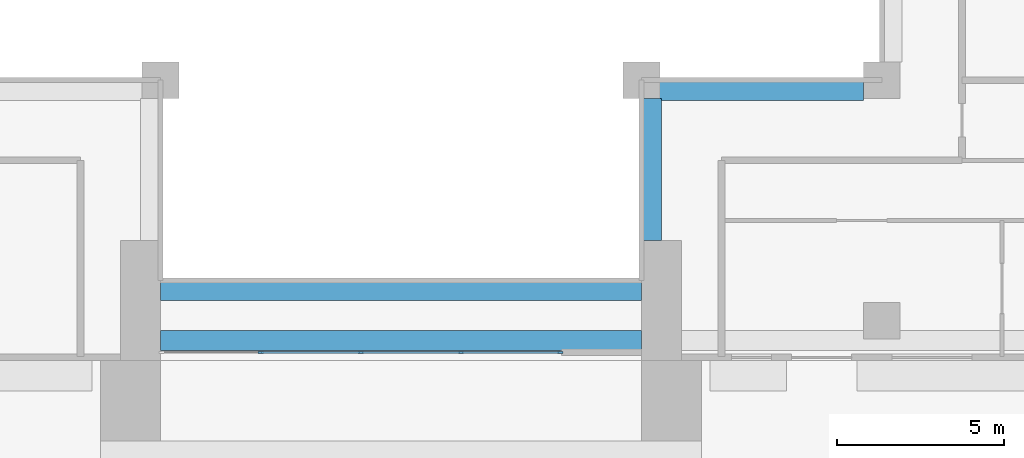
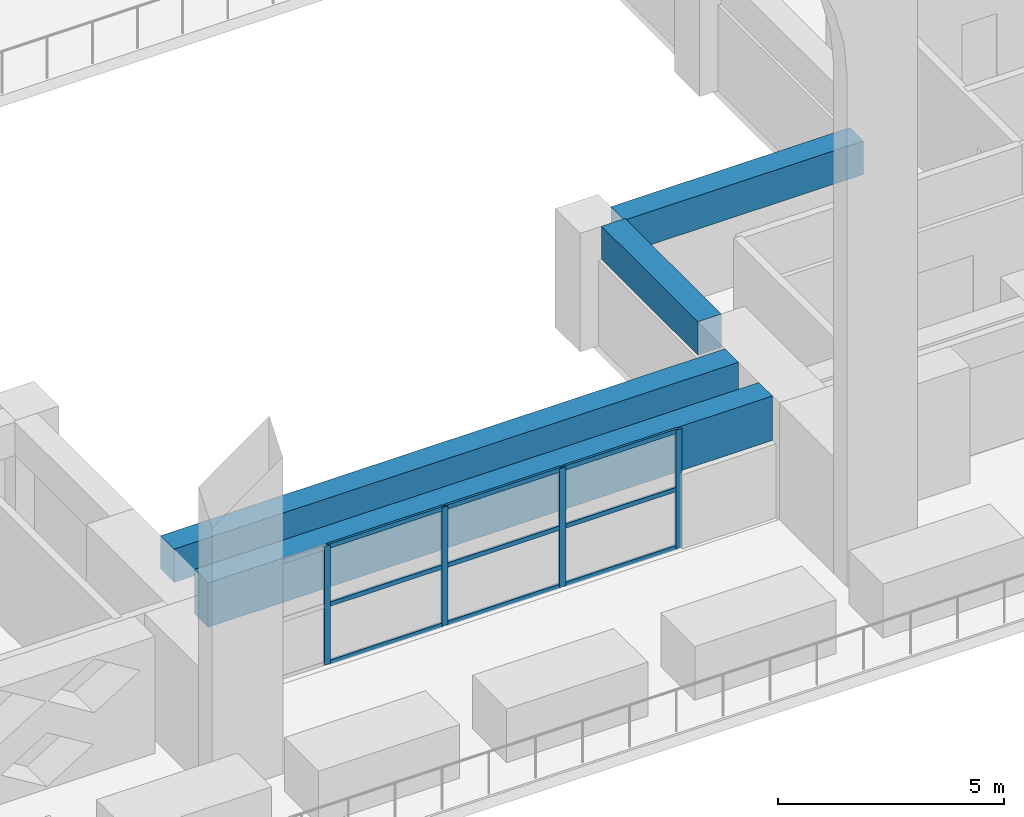
# One storey, part 4 of 17: 13 members, 4 beams, 1 element without a shape of its own.
"""IFC4 building model written with IfcOpenShell, lengths in metres."""

from ifc_helpers import new_model, si_unit, direction, frame, origin, origin_2d, place, context, subcontext, project, spatial, rectangle, extrude, source, transform, mapped, material, layer, layer_set, material_profile, profile_set, type_object, element, aggregate, save


model = new_model("IFC4")

# Units and contexts
model_context = context("Model", 3, precision=1e-05, world=origin(), true_north=direction((0.0, 1.0)))
body_context = subcontext(model_context, "Body", "Model", "MODEL_VIEW")
ifc_project = project(units=[si_unit("LENGTHUNIT", "METRE"), si_unit("AREAUNIT", "SQUARE_METRE"), si_unit("VOLUMEUNIT", "CUBIC_METRE"), si_unit("PLANEANGLEUNIT", "RADIAN"), si_unit("MASSUNIT", "GRAM", prefix="KILO")], contexts=[model_context])

# Site, building, storey
site_placement = place(None, origin())
site = spatial("IfcSite", under=ifc_project, at=site_placement, CompositionType="ELEMENT")
building_placement = place(site_placement, origin())
building = spatial("IfcBuilding", under=site, at=building_placement, Name="Saffron Iwan Residences", CompositionType="ELEMENT")
storey_placement = place(building_placement, frame((0.0, 0.0, 113.0)))
storey = spatial("IfcBuildingStorey", under=building, at=storey_placement, Name="L29", CompositionType="ELEMENT", Elevation=113.0)

# Beams
ifc_material_1 = material(Name="Concrete C50/60", Category="concrete")
ifc_material_profile_1 = material_profile(ifc_material_1, rectangle(XDim=0.60009765625, YDim=1.199951171875, at=origin_2d()), Name="RC 600x1200")
ifc_profile_set_1 = profile_set([ifc_material_profile_1], Name="Concrete C50/60")
beam_type_1 = type_object("IfcBeamType", Name="LINTEL BEAM RC 600x1200 C50/60 TOP 3200", PredefinedType="LINTEL", material=ifc_profile_set_1)
shared_shape_1 = source(origin(), body_context, "Body", "SweptSolid", [
    extrude(rectangle(XDim=0.60009765625, YDim=1.199951171875, at=origin_2d()), origin(), (0.0, 0.0, 1.0), 14.400146484375),
])
beam_1_placement = place(storey_placement, frame((57.60009765625, 40.199951171875, 2.60009765625), z_axis=(-1.0, 0.0, 0.0), x_axis=(0.0, -1.0, 0.0)))
element("IfcBeam", 1, at=beam_1_placement, inside=storey, type_object=beam_type_1, Name="Lintel beam over the iwan", PredefinedType="LINTEL", context=body_context, shape_type="MappedRepresentation", body=[
    mapped(shared_shape_1, transform((0.0, 0.0, 0.0))),
])
ifc_material_profile_2 = material_profile(ifc_material_1, rectangle(XDim=0.60009765625, YDim=0.89990234375, at=origin_2d()), Name="RC 600x900")
ifc_profile_set_2 = profile_set([ifc_material_profile_2], Name="Concrete C50/60")
beam_type_2 = type_object("IfcBeamType", Name="BEAM RC 600x900 C50/60 TOP 3200", PredefinedType="BEAM", material=ifc_profile_set_2)
shared_shape_2 = source(origin(), body_context, "Body", "SweptSolid", [
    extrude(rectangle(XDim=0.60009765625, YDim=0.89990234375, at=origin_2d()), origin(), (0.0, 0.0, 1.0), 14.400146484375),
])
beam_2_placement = place(storey_placement, frame((57.60009765625, 41.699951171875, 2.75), z_axis=(-1.0, 0.0, 0.0), x_axis=(0.0, -1.0, 0.0)))
element("IfcBeam", 2, at=beam_2_placement, inside=storey, type_object=beam_type_2, Name="Atrium edge beam", PredefinedType="BEAM", context=body_context, shape_type="MappedRepresentation", body=[
    mapped(shared_shape_2, transform((0.0, 0.0, 0.0))),
])
shared_shape_3 = source(origin(), body_context, "Body", "SweptSolid", [
    extrude(rectangle(XDim=0.60009765625, YDim=0.89990234375, at=origin_2d()), origin(), (0.0, 0.0, 1.0), 4.25),
])
beam_3_placement = place(storey_placement, frame((57.89990234375, 47.449951171875, 2.75), z_axis=(0.0, -1.0, 0.0), x_axis=(1.0, 0.0, 0.0)))
element("IfcBeam", 3, at=beam_3_placement, inside=storey, type_object=beam_type_2, Name="Atrium edge beam", PredefinedType="BEAM", context=body_context, shape_type="MappedRepresentation", body=[
    mapped(shared_shape_3, transform((0.0, 0.0, 0.0))),
])
shared_shape_4 = source(origin(), body_context, "Body", "SweptSolid", [
    extrude(rectangle(XDim=0.60009765625, YDim=0.89990234375, at=origin_2d()), origin(), (0.0, 0.0, 1.0), 6.10009765625),
])
beam_4_placement = place(storey_placement, frame((64.25, 47.699951171875, 2.75), z_axis=(-1.0, 0.0, 0.0), x_axis=(0.0, -1.0, 0.0)))
element("IfcBeam", 4, at=beam_4_placement, inside=storey, type_object=beam_type_2, Name="Atrium edge beam", PredefinedType="BEAM", context=body_context, shape_type="MappedRepresentation", body=[
    mapped(shared_shape_4, transform((0.0, 0.0, 0.0))),
])

# Curtain wall, members
ifc_material_2 = material(Name="Clear glass, laminated double glazed", Category="glass")
ifc_layer = layer(ifc_material_2, 0.199951171875)
ifc_layer_set = layer_set([ifc_layer], Name="Clear glass, laminated double glazed")
curtain_wall_type = type_object("IfcCurtainWallType", Name="CW-B IWAN PORTAL", PredefinedType="NOTDEFINED", material=ifc_layer_set)
curtain_wall_placement = place(storey_placement, origin())
curtain_wall = element("IfcCurtainWall", 5, at=curtain_wall_placement, inside=storey, type_object=curtain_wall_type, Name="Iwan portal glazing L29.1", PredefinedType="NOTDEFINED")
ifc_material_3 = material(Name="Aluminium 6063-T6", Category="aluminium")
ifc_material_profile_3 = material_profile(ifc_material_3, rectangle(XDim=0.06005859375, YDim=0.1201171875, at=origin_2d()), Name="CW-B TRANSOM 60 x 120")
ifc_profile_set_3 = profile_set([ifc_material_profile_3], Name="Aluminium 6063-T6")
member_type_1 = type_object("IfcMemberType", Name="CW-B TRANSOM 60 x 120", PredefinedType="USERDEFINED", material=ifc_profile_set_3)
shared_shape_5 = source(origin(), body_context, "Body", "SweptSolid", [
    extrude(rectangle(XDim=0.06005859375, YDim=0.1201171875, at=origin_2d()), origin(), (0.0, 0.0, 1.0), 2.909912109375),
])
member_1_placement = place(storey_placement, frame((52.22998046875, 39.85009765625, 0.030029296875), z_axis=(1.0, 0.0, 0.0), x_axis=(0.0, 1.0, 0.0)))
member_1 = element("IfcMember", 6, at=member_1_placement, type_object=member_type_1, Name="CW-B transom 4.1", ObjectType="TRANSOM", PredefinedType="USERDEFINED", context=body_context, shape_type="MappedRepresentation", body=[
    mapped(shared_shape_5, transform((0.0, 0.0, 0.0))),
])
member_2_placement = place(storey_placement, frame((52.22998046875, 39.85009765625, 1.60009765625), z_axis=(1.0, 0.0, 0.0), x_axis=(0.0, 1.0, 0.0)))
member_2 = element("IfcMember", 7, at=member_2_placement, type_object=member_type_1, Name="CW-B transom 4.2", ObjectType="TRANSOM", PredefinedType="USERDEFINED", context=body_context, shape_type="MappedRepresentation", body=[
    mapped(shared_shape_5, transform((0.0, 0.0, 0.0))),
])
member_3_placement = place(storey_placement, frame((52.22998046875, 39.85009765625, 3.169921875), z_axis=(1.0, 0.0, 0.0), x_axis=(0.0, 1.0, 0.0)))
member_3 = element("IfcMember", 8, at=member_3_placement, type_object=member_type_1, Name="CW-B transom 4.3", ObjectType="TRANSOM", PredefinedType="USERDEFINED", context=body_context, shape_type="MappedRepresentation", body=[
    mapped(shared_shape_5, transform((0.0, 0.0, 0.0))),
])
shared_shape_6 = source(origin(), body_context, "Body", "SweptSolid", [
    extrude(rectangle(XDim=0.06005859375, YDim=0.1201171875, at=origin_2d()), origin(), (0.0, 0.0, 1.0), 2.93994140625),
])
member_4_placement = place(storey_placement, frame((46.22998046875, 39.85009765625, 0.030029296875), z_axis=(1.0, 0.0, 0.0), x_axis=(0.0, 1.0, 0.0)))
member_4 = element("IfcMember", 9, at=member_4_placement, type_object=member_type_1, Name="CW-B transom 2.1", ObjectType="TRANSOM", PredefinedType="USERDEFINED", context=body_context, shape_type="MappedRepresentation", body=[
    mapped(shared_shape_6, transform((0.0, 0.0, 0.0))),
])
member_5_placement = place(storey_placement, frame((46.22998046875, 39.85009765625, 1.60009765625), z_axis=(1.0, 0.0, 0.0), x_axis=(0.0, 1.0, 0.0)))
member_5 = element("IfcMember", 10, at=member_5_placement, type_object=member_type_1, Name="CW-B transom 2.2", ObjectType="TRANSOM", PredefinedType="USERDEFINED", context=body_context, shape_type="MappedRepresentation", body=[
    mapped(shared_shape_6, transform((0.0, 0.0, 0.0))),
])
member_6_placement = place(storey_placement, frame((46.22998046875, 39.85009765625, 3.169921875), z_axis=(1.0, 0.0, 0.0), x_axis=(0.0, 1.0, 0.0)))
member_6 = element("IfcMember", 11, at=member_6_placement, type_object=member_type_1, Name="CW-B transom 2.3", ObjectType="TRANSOM", PredefinedType="USERDEFINED", context=body_context, shape_type="MappedRepresentation", body=[
    mapped(shared_shape_6, transform((0.0, 0.0, 0.0))),
])
member_7_placement = place(storey_placement, frame((49.22998046875, 39.85009765625, 0.030029296875), z_axis=(1.0, 0.0, 0.0), x_axis=(0.0, 1.0, 0.0)))
member_7 = element("IfcMember", 12, at=member_7_placement, type_object=member_type_1, Name="CW-B transom 3.1", ObjectType="TRANSOM", PredefinedType="USERDEFINED", context=body_context, shape_type="MappedRepresentation", body=[
    mapped(shared_shape_6, transform((0.0, 0.0, 0.0))),
])
member_8_placement = place(storey_placement, frame((49.22998046875, 39.85009765625, 1.60009765625), z_axis=(1.0, 0.0, 0.0), x_axis=(0.0, 1.0, 0.0)))
member_8 = element("IfcMember", 13, at=member_8_placement, type_object=member_type_1, Name="CW-B transom 3.2", ObjectType="TRANSOM", PredefinedType="USERDEFINED", context=body_context, shape_type="MappedRepresentation", body=[
    mapped(shared_shape_6, transform((0.0, 0.0, 0.0))),
])
member_9_placement = place(storey_placement, frame((49.22998046875, 39.85009765625, 3.169921875), z_axis=(1.0, 0.0, 0.0), x_axis=(0.0, 1.0, 0.0)))
member_9 = element("IfcMember", 14, at=member_9_placement, type_object=member_type_1, Name="CW-B transom 3.3", ObjectType="TRANSOM", PredefinedType="USERDEFINED", context=body_context, shape_type="MappedRepresentation", body=[
    mapped(shared_shape_6, transform((0.0, 0.0, 0.0))),
])
ifc_material_profile_4 = material_profile(ifc_material_3, rectangle(XDim=0.06005859375, YDim=0.159912109375, at=origin_2d()), Name="CW-B MULLION 60 x 160")
ifc_profile_set_4 = profile_set([ifc_material_profile_4], Name="Aluminium 6063-T6")
member_type_2 = type_object("IfcMemberType", Name="CW-B MULLION 60 x 160", PredefinedType="MULLION", material=ifc_profile_set_4)
shared_shape_7 = source(origin(), body_context, "Body", "SweptSolid", [
    extrude(rectangle(XDim=0.06005859375, YDim=0.159912109375, at=origin_2d()), origin(), (0.0, 0.0, 1.0), 3.199951171875),
])
member_10_placement = place(storey_placement, frame((46.199951171875, 39.85009765625, 0.0), z_axis=(0.0, 0.0, 1.0), x_axis=(0.0, 1.0, 0.0)))
member_10 = element("IfcMember", 15, at=member_10_placement, type_object=member_type_2, Name="CW-B mullion 2", PredefinedType="MULLION", context=body_context, shape_type="MappedRepresentation", body=[
    mapped(shared_shape_7, transform((0.0, 0.0, 0.0))),
])
member_11_placement = place(storey_placement, frame((49.199951171875, 39.85009765625, 0.0), z_axis=(0.0, 0.0, 1.0), x_axis=(0.0, 1.0, 0.0)))
member_11 = element("IfcMember", 16, at=member_11_placement, type_object=member_type_2, Name="CW-B mullion 3", PredefinedType="MULLION", context=body_context, shape_type="MappedRepresentation", body=[
    mapped(shared_shape_7, transform((0.0, 0.0, 0.0))),
])
member_12_placement = place(storey_placement, frame((52.199951171875, 39.85009765625, 0.0), z_axis=(0.0, 0.0, 1.0), x_axis=(0.0, 1.0, 0.0)))
member_12 = element("IfcMember", 17, at=member_12_placement, type_object=member_type_2, Name="CW-B mullion 4", PredefinedType="MULLION", context=body_context, shape_type="MappedRepresentation", body=[
    mapped(shared_shape_7, transform((0.0, 0.0, 0.0))),
])
member_13_placement = place(storey_placement, frame((55.169921875, 39.85009765625, 0.0), z_axis=(0.0, 0.0, 1.0), x_axis=(0.0, 1.0, 0.0)))
member_13 = element("IfcMember", 18, at=member_13_placement, type_object=member_type_2, Name="CW-B mullion 5", PredefinedType="MULLION", context=body_context, shape_type="MappedRepresentation", body=[
    mapped(shared_shape_7, transform((0.0, 0.0, 0.0))),
])
aggregate(curtain_wall, [member_10, member_11, member_12, member_13, member_4, member_5, member_6, member_7, member_8, member_9, member_1, member_2, member_3])

save(model, "model.ifc")
